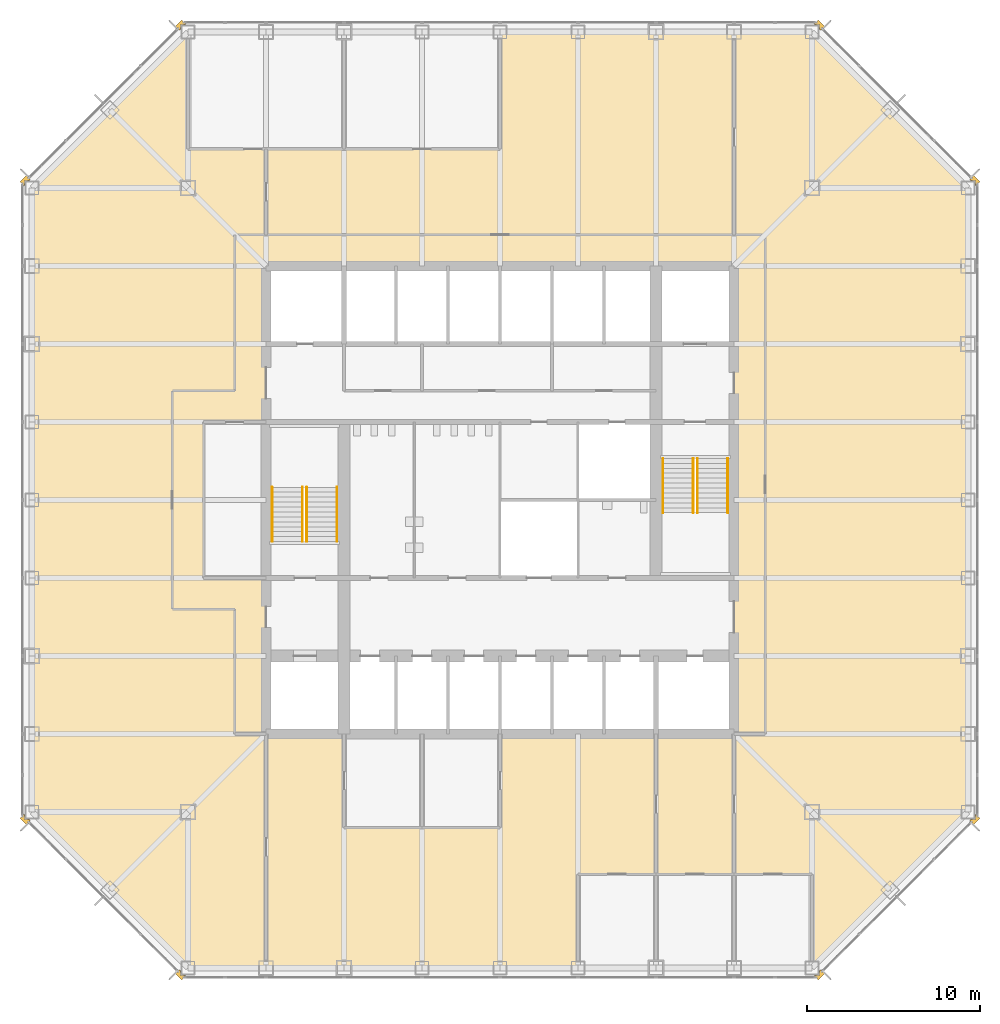
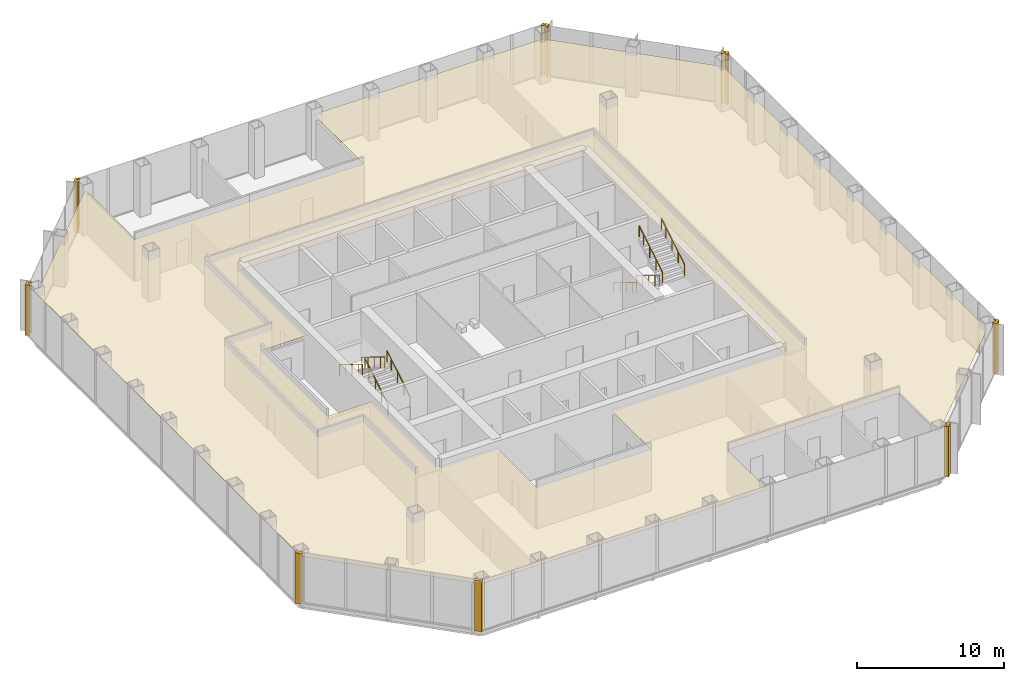
# One storey, part 11 of 12: 9 coverings, 8 railings.
"""IFC4 building model written with IfcOpenShell, lengths in metres."""

from ifc_helpers import new_model, si_unit, direction, frame, origin, origin_2d, place, context, subcontext, project, spatial, polyline, circle, outline, extrude, material, layer, layer_set, type_object, element, save


model = new_model("IFC4")

# Units and contexts
model_context = context("Model", 3, precision=1e-05, world=origin(), true_north=direction((0.0, 1.0)))
body_context = subcontext(model_context, "Body", "Model", "MODEL_VIEW")
ifc_project = project(units=[si_unit("LENGTHUNIT", "METRE"), si_unit("AREAUNIT", "SQUARE_METRE"), si_unit("VOLUMEUNIT", "CUBIC_METRE"), si_unit("PLANEANGLEUNIT", "RADIAN"), si_unit("MASSUNIT", "GRAM", prefix="KILO")], contexts=[model_context])

# Site, building, storey
site_placement = place(None, origin())
site = spatial("IfcSite", under=ifc_project, at=site_placement, CompositionType="ELEMENT")
building_placement = place(site_placement, origin())
building = spatial("IfcBuilding", under=site, at=building_placement, Name="Corais Broadcast Tower", CompositionType="ELEMENT")
storey_placement = place(building_placement, frame((0.0, 0.0, 45.800048828125)))
storey = spatial("IfcBuildingStorey", under=building, at=storey_placement, Name="L09", CompositionType="ELEMENT", Elevation=45.800048828125)

# Railings
ifc_material_1 = material(Name="Stainless steel handrail", Category="steel")
railing_type = type_object("IfcRailingType", Name="Handrail 920", PredefinedType="HANDRAIL", material=ifc_material_1)
for number, where, name in (
    (1, (17.60009765625, 24.60009765625, 0.175048828125), "HR1 L09"),
    (2, (15.85009765625, 24.60009765625, 0.175048828125), "HR1 L09"),
):
    element("IfcRailing", number, at=place(storey_placement, frame(where)), inside=storey, type_object=railing_type, Name=name, PredefinedType="HANDRAIL", context=body_context, shape_type="SweptSolid", body=[
        extrude(circle(Radius=0.02392578125, at=origin_2d()), frame((0.0, 0.0, 0.89599609375), z_axis=(0.0, 0.852195625947, 0.523223293744), x_axis=(-1.0, 0.0, 0.0)), (0.0, 0.0, 1.0), 3.6787109375),
        extrude(circle(Radius=0.02099609375, at=origin_2d()), origin(), (0.0, 0.0, 1.0), 0.871826171875),
        extrude(circle(Radius=0.02099609375, at=origin_2d()), frame((0.0, 0.85498046875, 0.52490234375)), (0.0, 0.0, 1.0), 0.871826171875),
        extrude(circle(Radius=0.02099609375, at=origin_2d()), frame((0.0, 1.7099609375, 1.0498046875)), (0.0, 0.0, 1.0), 0.871826171875),
        extrude(circle(Radius=0.02099609375, at=origin_2d()), frame((0.0, 2.56494140625, 1.574951171875)), (0.0, 0.0, 1.0), 0.871826171875),
        extrude(circle(Radius=0.02099609375, at=origin_2d()), frame((0.0, 3.135009765625, 1.9248046875)), (0.0, 0.0, 1.0), 0.871826171875),
    ])
for number, where, name in (
    (3, (13.85009765625, 27.735107421875, 2.27490234375), "HR1 L09"),
    (4, (15.60009765625, 27.735107421875, 2.27490234375), "HR1 L09"),
):
    element("IfcRailing", number, at=place(storey_placement, frame(where)), inside=storey, type_object=railing_type, Name=name, PredefinedType="HANDRAIL", context=body_context, shape_type="SweptSolid", body=[
        extrude(circle(Radius=0.02392578125, at=origin_2d()), frame((0.0, 0.0, 0.89599609375), z_axis=(0.0, -0.852166034122, 0.523271488128), x_axis=(1.0, 0.0, 0.0)), (0.0, 0.0, 1.0), 3.678955078125),
        extrude(circle(Radius=0.02099609375, at=origin_2d()), origin(), (0.0, 0.0, 1.0), 0.871826171875),
        extrude(circle(Radius=0.02099609375, at=origin_2d()), frame((0.0, -0.85498046875, 0.52490234375)), (0.0, 0.0, 1.0), 0.871826171875),
        extrude(circle(Radius=0.02099609375, at=origin_2d()), frame((0.0, -1.7099609375, 1.050048828125)), (0.0, 0.0, 1.0), 0.871826171875),
        extrude(circle(Radius=0.02099609375, at=origin_2d()), frame((0.0, -2.56494140625, 1.574951171875)), (0.0, 0.0, 1.0), 0.871826171875),
        extrude(circle(Radius=0.02099609375, at=origin_2d()), frame((0.0, -3.135009765625, 1.925048828125)), (0.0, 0.0, 1.0), 0.871826171875),
    ])
for number, where, name in (
    (5, (36.39990234375, 29.39990234375, 0.175048828125), "HR1 L09"),
    (6, (38.14990234375, 29.39990234375, 0.175048828125), "HR1 L09"),
):
    element("IfcRailing", number, at=place(storey_placement, frame(where)), inside=storey, type_object=railing_type, Name=name, PredefinedType="HANDRAIL", context=body_context, shape_type="SweptSolid", body=[
        extrude(circle(Radius=0.02392578125, at=origin_2d()), frame((0.0, 0.0, 0.89599609375), z_axis=(0.0, -0.852195625947, 0.523223293744), x_axis=(1.0, 0.0, 0.0)), (0.0, 0.0, 1.0), 3.6787109375),
        extrude(circle(Radius=0.02099609375, at=origin_2d()), origin(), (0.0, 0.0, 1.0), 0.871826171875),
        extrude(circle(Radius=0.02099609375, at=origin_2d()), frame((0.0, -0.85498046875, 0.52490234375)), (0.0, 0.0, 1.0), 0.871826171875),
        extrude(circle(Radius=0.02099609375, at=origin_2d()), frame((0.0, -1.7099609375, 1.0498046875)), (0.0, 0.0, 1.0), 0.871826171875),
        extrude(circle(Radius=0.02099609375, at=origin_2d()), frame((0.0, -2.56494140625, 1.574951171875)), (0.0, 0.0, 1.0), 0.871826171875),
        extrude(circle(Radius=0.02099609375, at=origin_2d()), frame((0.0, -3.135009765625, 1.9248046875)), (0.0, 0.0, 1.0), 0.871826171875),
    ])
for number, where, name in (
    (7, (40.14990234375, 26.264892578125, 2.27490234375), "HR1 L09"),
    (8, (38.39990234375, 26.264892578125, 2.27490234375), "HR1 L09"),
):
    element("IfcRailing", number, at=place(storey_placement, frame(where)), inside=storey, type_object=railing_type, Name=name, PredefinedType="HANDRAIL", context=body_context, shape_type="SweptSolid", body=[
        extrude(circle(Radius=0.02392578125, at=origin_2d()), frame((0.0, 0.0, 0.89599609375), z_axis=(0.0, 0.852166034122, 0.523271488128), x_axis=(-1.0, 0.0, 0.0)), (0.0, 0.0, 1.0), 3.678955078125),
        extrude(circle(Radius=0.02099609375, at=origin_2d()), origin(), (0.0, 0.0, 1.0), 0.871826171875),
        extrude(circle(Radius=0.02099609375, at=origin_2d()), frame((0.0, 0.85498046875, 0.52490234375)), (0.0, 0.0, 1.0), 0.871826171875),
        extrude(circle(Radius=0.02099609375, at=origin_2d()), frame((0.0, 1.7099609375, 1.050048828125)), (0.0, 0.0, 1.0), 0.871826171875),
        extrude(circle(Radius=0.02099609375, at=origin_2d()), frame((0.0, 2.56494140625, 1.574951171875)), (0.0, 0.0, 1.0), 0.871826171875),
        extrude(circle(Radius=0.02099609375, at=origin_2d()), frame((0.0, 3.135009765625, 1.925048828125)), (0.0, 0.0, 1.0), 0.871826171875),
    ])

# Coverings
ifc_material_2 = material(Name="Granite stone cladding", Category="masonry")
ifc_layer_1 = layer(ifc_material_2, 0.324951171875)
ifc_layer_set_1 = layer_set([ifc_layer_1], Name="Granite stone cladding")
covering_type_1 = type_object("IfcCoveringType", Name="Stone corner pier cladding 500x325", PredefinedType="CLADDING", material=ifc_layer_set_1)
covering_1_placement = place(storey_placement, origin())
element("IfcCovering", 9, at=covering_1_placement, inside=storey, type_object=covering_type_1, Name="SP1 stone corner pier L09", PredefinedType="CLADDING", context=body_context, shape_type="SweptSolid", body=[
    extrude(outline(polyline([(8.860595703125, -0.461669921875), (8.823974609375, -0.425048828125), (8.574951171875, -0.425048828125), (8.574951171875, -0.176025390625), (8.507080078125, -0.108154296875), (8.277099609375, -0.337890625), (8.630859375, -0.69140625), (8.860595703125, -0.461669921875)])), origin(), (0.0, 0.0, 1.0), 4.199951171875),
])
covering_2_placement = place(storey_placement, origin())
element("IfcCovering", 10, at=covering_2_placement, inside=storey, type_object=covering_type_1, Name="SP1 stone corner pier L09", PredefinedType="CLADDING", context=body_context, shape_type="SweptSolid", body=[
    extrude(outline(polyline([(-0.425048828125, 8.823974609375), (-0.461669921875, 8.860595703125), (-0.69140625, 8.630859375), (-0.337890625, 8.277099609375), (-0.108154296875, 8.507080078125), (-0.176025390625, 8.574951171875), (-0.425048828125, 8.574951171875), (-0.425048828125, 8.823974609375)])), origin(), (0.0, 0.0, 1.0), 4.199951171875),
])
covering_3_placement = place(storey_placement, origin())
element("IfcCovering", 11, at=covering_3_placement, inside=storey, type_object=covering_type_1, Name="SP1 stone corner pier L09", PredefinedType="CLADDING", context=body_context, shape_type="SweptSolid", body=[
    extrude(outline(polyline([(-0.461669921875, 45.139404296875), (-0.425048828125, 45.176025390625), (-0.425048828125, 45.425048828125), (-0.176025390625, 45.425048828125), (-0.108154296875, 45.492919921875), (-0.337890625, 45.722900390625), (-0.69140625, 45.369140625), (-0.461669921875, 45.139404296875)])), origin(), (0.0, 0.0, 1.0), 4.199951171875),
])
covering_4_placement = place(storey_placement, origin())
element("IfcCovering", 12, at=covering_4_placement, inside=storey, type_object=covering_type_1, Name="SP1 stone corner pier L09", PredefinedType="CLADDING", context=body_context, shape_type="SweptSolid", body=[
    extrude(outline(polyline([(8.823974609375, 54.425048828125), (8.860595703125, 54.461669921875), (8.630859375, 54.69140625), (8.277099609375, 54.337890625), (8.507080078125, 54.108154296875), (8.574951171875, 54.176025390625), (8.574951171875, 54.425048828125), (8.823974609375, 54.425048828125)])), origin(), (0.0, 0.0, 1.0), 4.199951171875),
])
covering_5_placement = place(storey_placement, origin())
element("IfcCovering", 13, at=covering_5_placement, inside=storey, type_object=covering_type_1, Name="SP1 stone corner pier L09", PredefinedType="CLADDING", context=body_context, shape_type="SweptSolid", body=[
    extrude(outline(polyline([(45.139404296875, 54.461669921875), (45.176025390625, 54.425048828125), (45.425048828125, 54.425048828125), (45.425048828125, 54.176025390625), (45.492919921875, 54.108154296875), (45.722900390625, 54.337890625), (45.369140625, 54.69140625), (45.139404296875, 54.461669921875)])), origin(), (0.0, 0.0, 1.0), 4.199951171875),
])
covering_6_placement = place(storey_placement, origin())
element("IfcCovering", 14, at=covering_6_placement, inside=storey, type_object=covering_type_1, Name="SP1 stone corner pier L09", PredefinedType="CLADDING", context=body_context, shape_type="SweptSolid", body=[
    extrude(outline(polyline([(54.425048828125, 45.176025390625), (54.461669921875, 45.139404296875), (54.69140625, 45.369140625), (54.337890625, 45.722900390625), (54.108154296875, 45.492919921875), (54.176025390625, 45.425048828125), (54.425048828125, 45.425048828125), (54.425048828125, 45.176025390625)])), origin(), (0.0, 0.0, 1.0), 4.199951171875),
])
covering_7_placement = place(storey_placement, origin())
element("IfcCovering", 15, at=covering_7_placement, inside=storey, type_object=covering_type_1, Name="SP1 stone corner pier L09", PredefinedType="CLADDING", context=body_context, shape_type="SweptSolid", body=[
    extrude(outline(polyline([(54.461669921875, 8.860595703125), (54.425048828125, 8.823974609375), (54.425048828125, 8.574951171875), (54.176025390625, 8.574951171875), (54.108154296875, 8.507080078125), (54.337890625, 8.277099609375), (54.69140625, 8.630859375), (54.461669921875, 8.860595703125)])), origin(), (0.0, 0.0, 1.0), 4.199951171875),
])
covering_8_placement = place(storey_placement, origin())
element("IfcCovering", 16, at=covering_8_placement, inside=storey, type_object=covering_type_1, Name="SP1 stone corner pier L09", PredefinedType="CLADDING", context=body_context, shape_type="SweptSolid", body=[
    extrude(outline(polyline([(45.176025390625, -0.425048828125), (45.139404296875, -0.461669921875), (45.369140625, -0.69140625), (45.722900390625, -0.337890625), (45.492919921875, -0.108154296875), (45.425048828125, -0.176025390625), (45.425048828125, -0.425048828125), (45.176025390625, -0.425048828125)])), origin(), (0.0, 0.0, 1.0), 4.199951171875),
])
ifc_material_3 = material(Name="Mineral fibre ceiling tile", Category="mineral")
ifc_layer_2 = layer(ifc_material_3, 0.02001953125)
ifc_layer_set_2 = layer_set([ifc_layer_2], Name="Mineral fibre ceiling tile")
covering_type_2 = type_object("IfcCoveringType", Name="Suspended ceiling", PredefinedType="CEILING", material=ifc_layer_set_2)
covering_9_placement = place(storey_placement, frame((0.0, 0.0, 3.419921875)))
element("IfcCovering", 17, at=covering_9_placement, inside=storey, type_object=covering_type_2, Name="CE1 ceiling L09", PredefinedType="CEILING", context=body_context, shape_type="SweptSolid", body=[
    extrude(outline(polyline([(31.5, 5.39990234375), (31.5, 0.0), (9.0, 0.0), (0.0, 9.0), (0.0, 45.0), (9.0, 54.0), (9.0, 47.25), (27.0, 47.25), (27.0, 54.0), (45.0, 54.0), (54.0, 45.0), (54.0, 9.0), (45.0, 0.0), (45.0, 5.39990234375), (31.5, 5.39990234375)]), holes=[polyline([(18.0, 13.5), (18.0, 8.10009765625), (27.0, 8.10009765625), (27.0, 13.5), (40.5, 13.5), (40.5, 40.5), (13.5, 40.5), (13.5, 31.5), (9.89990234375, 31.5), (9.89990234375, 22.5), (13.5, 22.5), (13.5, 13.5), (18.0, 13.5)])]), origin(), (0.0, 0.0, 1.0), 0.02001953125),
])

save(model, "model.ifc")
